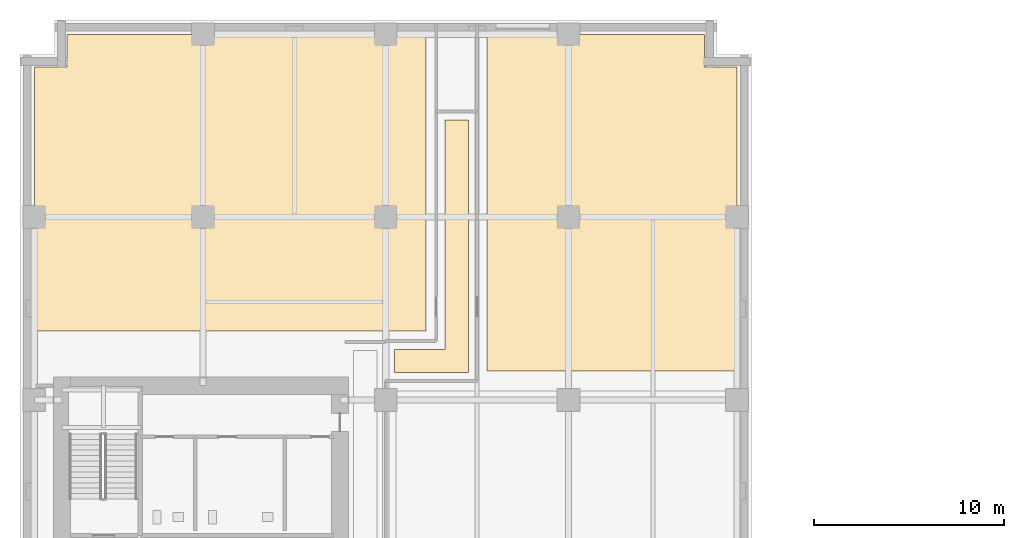
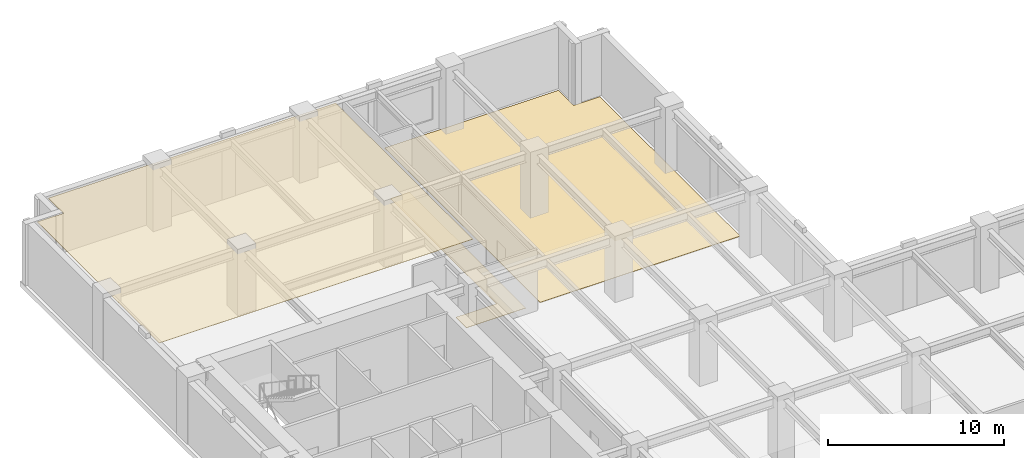
# One storey, part 21 of 24: 3 coverings.
"""IFC4 building model written with IfcOpenShell, lengths in metres."""

import ifcopenshell
import ifcopenshell.guid

model = None  # the IFC model being written
_history = None  # IfcOwnerHistory: only IFC2X3 demands one
_inside = {}  # id of a spatial element -> (the spatial element, [elements in it])
_under = {}  # id of a project, library or spatial element -> (it, [spatial elements below it])
_declared = {}  # id of a project -> (the project, [libraries it declares])
_typed = {}  # id of a type object -> (the type object, [elements of that type])
_made_of = {}  # id of a material, layer set ... -> (it, [elements and type objects made of it])


def new_model(schema):
    """Start an empty IFC model of exactly this schema.

    Asked for "IFC4X3", IfcOpenShell would pick the latest addendum, in which some entities
    have other attributes; the version numbers below select the first issue.
    IFC2X3 requires an IfcOwnerHistory on every rooted entity: one is made here for all.
    """
    global model, _history
    if schema == "IFC4X3":
        model = ifcopenshell.file(schema_version=(4, 3, 0, 0))
    else:
        model = ifcopenshell.file(schema=schema)
    _inside.clear()
    _under.clear()
    _declared.clear()
    _typed.clear()
    _made_of.clear()
    _history = None
    if model.schema == "IFC2X3":
        org = make("IfcOrganization", Name="unknown")
        user = make(
            "IfcPersonAndOrganization",
            ThePerson=make("IfcPerson", FamilyName="unknown"),
            TheOrganization=org,
        )
        app = make(
            "IfcApplication",
            ApplicationDeveloper=org,
            Version="unknown",
            ApplicationFullName="unknown",
            ApplicationIdentifier="unknown",
        )
        _history = make(
            "IfcOwnerHistory",
            OwningUser=user,
            OwningApplication=app,
            ChangeAction="ADDED",
            CreationDate=0,
        )
    return model


def make(cls, **values):
    """One entity of the class cls with the attributes given. An attribute that is None is left unset."""
    return model.create_entity(
        cls, **{name: value for name, value in values.items() if value is not None}
    )


def rooted(cls, **values):
    """An entity with a GlobalId (a new one), such as an element, a storey or a relation."""
    return make(cls, GlobalId=ifcopenshell.guid.new(), OwnerHistory=_history, **values)


def si_unit(unit_type, name, prefix=None):
    """IfcSIUnit, for example si_unit("LENGTHUNIT", "METRE", prefix="MILLI")."""
    return make("IfcSIUnit", UnitType=unit_type, Prefix=prefix, Name=name)


def assignment(units):
    """IfcUnitAssignment: the units of a project."""
    return None if units is None else make("IfcUnitAssignment", Units=units)


def point(xyz):
    """IfcCartesianPoint."""
    return None if xyz is None else make("IfcCartesianPoint", Coordinates=xyz)


def direction(xyz):
    """IfcDirection."""
    return None if xyz is None else make("IfcDirection", DirectionRatios=xyz)


def frame(location, z_axis=None, x_axis=None):
    """IfcAxis2Placement3D, a coordinate frame: its origin and axes. An axis left out is left unset."""
    return make(
        "IfcAxis2Placement3D",
        Location=point(location),
        Axis=direction(z_axis),
        RefDirection=direction(x_axis),
    )


def origin():
    """The frame at (0, 0, 0) with its axes left unset."""
    return frame((0.0, 0.0, 0.0))


def place(relative_to, where):
    """IfcLocalPlacement: puts the frame where relative to a parent placement (None: the world)."""
    return make(
        "IfcLocalPlacement", PlacementRelTo=relative_to, RelativePlacement=where
    )


def context(
    kind, dimensions, precision=None, world=None, true_north=None, identifier=None
):
    """IfcGeometricRepresentationContext, for example the 3D "Model" context."""
    return make(
        "IfcGeometricRepresentationContext",
        ContextIdentifier=identifier,
        ContextType=kind,
        CoordinateSpaceDimension=dimensions,
        Precision=precision,
        WorldCoordinateSystem=world,
        TrueNorth=true_north,
    )


def subcontext(parent, identifier, kind, view, scale=None):
    """IfcGeometricRepresentationSubContext, for example "Body" below "Model"."""
    return make(
        "IfcGeometricRepresentationSubContext",
        ContextIdentifier=identifier,
        ContextType=kind,
        ParentContext=parent,
        TargetScale=scale,
        TargetView=view,
    )


def project(units=None, contexts=None):
    """IfcProject with its units and contexts."""
    return rooted(
        "IfcProject",
        Name="project",
        RepresentationContexts=contexts,
        UnitsInContext=assignment(units),
    )


def spatial(cls, under=None, at=None, **own):
    """A site, building, storey or space (cls), placed at a placement, below another one or the project."""
    s = rooted(cls, ObjectPlacement=at, **own)
    if under is not None:
        _under.setdefault(under.id(), (under, []))[1].append(s)
    return s


def polyline(points):
    """IfcPolyline through the points."""
    return make("IfcPolyline", Points=[point(p) for p in points])


def outline(outer, holes=None, kind="AREA"):
    """IfcArbitraryClosedProfileDef: a profile drawn as a closed curve; with holes, ...WithVoids."""
    if holes is None:
        return make("IfcArbitraryClosedProfileDef", ProfileType=kind, OuterCurve=outer)
    return make(
        "IfcArbitraryProfileDefWithVoids",
        ProfileType=kind,
        OuterCurve=outer,
        InnerCurves=holes,
    )


def extrude(swept, where, along, depth):
    """IfcExtrudedAreaSolid: the profile swept, set in the frame where, extruded along a direction by depth."""
    return make(
        "IfcExtrudedAreaSolid",
        SweptArea=swept,
        Position=where,
        ExtrudedDirection=direction(along),
        Depth=depth,
    )


def shape(context_of_items, identifier, shape_type, items):
    """IfcShapeRepresentation: the items that make up one representation, for example the "Body"."""
    return make(
        "IfcShapeRepresentation",
        ContextOfItems=context_of_items,
        RepresentationIdentifier=identifier,
        RepresentationType=shape_type,
        Items=items,
    )


def material(Name=None, Category=None):
    """IfcMaterial."""
    return make("IfcMaterial", Name=Name, Category=Category)


def layer(
    of_material, thickness, ventilated=None, Name=None, Category=None, Priority=None
):
    """IfcMaterialLayer: one layer of a wall or slab, of a material (None: an air gap)."""
    return make(
        "IfcMaterialLayer",
        Material=of_material,
        LayerThickness=thickness,
        IsVentilated=ventilated,
        Name=Name,
        Category=Category,
        Priority=Priority,
    )


def layer_set(layers, Name=None):
    """IfcMaterialLayerSet."""
    return make("IfcMaterialLayerSet", MaterialLayers=layers, LayerSetName=Name)


def made_of(thing, what):
    """Note that an element or type object is made of a material, layer set ...; save() writes the relation."""
    if what is not None:
        _made_of.setdefault(what.id(), (what, []))[1].append(thing)
    return thing


def type_object(cls, material=None, **own):
    """A type object (cls), such as IfcWallType, which elements share."""
    return made_of(rooted(cls, **own), material)


def element(
    cls,
    number,
    at=None,
    inside=None,
    cuts=None,
    type_object=None,
    material=None,
    context=None,
    identifier="Body",
    shape_type=None,
    held_by="IfcProductDefinitionShape",
    body=None,
    shapes=None,
    **own,
):
    """One element of the class cls, such as IfcWall. Its Tag is "e" and its number.

    at: its placement. inside: the storey or other place that contains it. cuts: it is an
    opening in that element (IfcRelVoidsElement). A single representation is given by context,
    identifier, shape_type and body (its items); several are given by shapes. held_by: the class
    of the entity that holds the representations. save() writes the other relations.
    """
    e = rooted(cls, Tag="e%d" % number, ObjectPlacement=at, **own)
    if body is not None:
        shapes = [shape(context, identifier, shape_type, body)]
    if shapes is not None:
        e.Representation = make(held_by, Representations=shapes)
    if inside is not None:
        _inside.setdefault(inside.id(), (inside, []))[1].append(e)
    if cuts is not None:
        rooted(
            "IfcRelVoidsElement", RelatingBuildingElement=cuts, RelatedOpeningElement=e
        )
    if type_object is not None:
        _typed.setdefault(type_object.id(), (type_object, []))[1].append(e)
    return made_of(e, material)


def aggregate(whole, parts):
    """IfcRelAggregates: a whole, such as a stair, and the parts it consists of."""
    return rooted("IfcRelAggregates", RelatingObject=whole, RelatedObjects=parts)


def save(model, path):
    """Write the relations noted so far, then the file.

    IfcRelAggregates (storeys below a building ...), IfcRelContainedInSpatialStructure (elements
    in a storey), IfcRelDefinesByType, IfcRelAssociatesMaterial and IfcRelDeclares: one each for
    every whole, place, type object, material and project.
    """
    for whole, parts in _under.values():
        aggregate(whole, parts)
    for where, things in _inside.values():
        rooted(
            "IfcRelContainedInSpatialStructure",
            RelatedElements=things,
            RelatingStructure=where,
        )
    for kind, things in _typed.values():
        rooted("IfcRelDefinesByType", RelatedObjects=things, RelatingType=kind)
    for what, things in _made_of.values():
        rooted("IfcRelAssociatesMaterial", RelatedObjects=things, RelatingMaterial=what)
    for by, libraries in _declared.values():
        rooted("IfcRelDeclares", RelatingContext=by, RelatedDefinitions=libraries)
    model.write(path)


model = new_model("IFC4")

# Units and contexts
model_context = context("Model", 3, precision=1e-05, world=origin(), true_north=direction((0.0, 1.0)))
body_context = subcontext(model_context, "Body", "Model", "MODEL_VIEW")
ifc_project = project(units=[si_unit("LENGTHUNIT", "METRE"), si_unit("AREAUNIT", "SQUARE_METRE"), si_unit("VOLUMEUNIT", "CUBIC_METRE"), si_unit("PLANEANGLEUNIT", "RADIAN"), si_unit("MASSUNIT", "GRAM", prefix="KILO")], contexts=[model_context])

# Site, building, storey
site_placement = place(None, origin())
site = spatial("IfcSite", under=ifc_project, at=site_placement, CompositionType="ELEMENT")
building_placement = place(site_placement, origin())
building = spatial("IfcBuilding", under=site, at=building_placement, Name="Norrvale University Quadrangle", CompositionType="ELEMENT")
storey_placement = place(building_placement, frame((0.0, 0.0, 10.39990234375)))
storey = spatial("IfcBuildingStorey", under=building, at=storey_placement, Name="L02", CompositionType="ELEMENT", Elevation=10.39990234375)

# Coverings
ifc_material_1 = material(Name="Perforated Acoustic Mineral Ceiling")
ifc_layer_1 = layer(ifc_material_1, 0.02490234375, Name="Perforated Acoustic Mineral Ceiling")
ifc_layer_set_1 = layer_set([ifc_layer_1], Name="Perforated Acoustic Mineral Ceiling")
covering_type_1 = type_object("IfcCoveringType", Name="Covering Acoustic Ceiling 25", PredefinedType="CEILING", material=ifc_layer_set_1)
covering_1_placement = place(storey_placement, frame((0.0, 0.0, 4.235107421875)))
element("IfcCovering", 1, at=covering_1_placement, inside=storey, type_object=covering_type_1, Name="Acoustic Ceiling RM-L02-NW01", PredefinedType="CEILING", context=body_context, shape_type="SweptSolid", body=[
    extrude(outline(polyline([(21.320068359375, 66.449951171875), (21.320068359375, 50.8798828125), (0.75, 50.8798828125), (0.75, 64.72998046875), (2.469970703125, 64.72998046875), (2.469970703125, 66.449951171875), (21.320068359375, 66.449951171875)])), origin(), (0.0, 0.0, 1.0), 0.02490234375),
])
ifc_material_2 = material(Name="Polished Terrazzo Flooring")
ifc_layer_2 = layer(ifc_material_2, 0.02490234375, Name="Polished Terrazzo Flooring")
ifc_layer_set_2 = layer_set([ifc_layer_2], Name="Polished Terrazzo Flooring")
covering_type_2 = type_object("IfcCoveringType", Name="Covering Terrazzo Floor 30", PredefinedType="FLOORING", material=ifc_layer_set_2)
covering_2_placement = place(storey_placement, origin())
element("IfcCovering", 2, at=covering_2_placement, inside=storey, type_object=covering_type_2, Name="Terrazzo Flooring RM-L02-NCJOG", PredefinedType="FLOORING", context=body_context, shape_type="SweptSolid", body=[
    extrude(outline(polyline([(19.64990234375, 48.699951171875), (19.64990234375, 49.89990234375), (22.300048828125, 49.89990234375), (22.300048828125, 61.949951171875), (23.550048828125, 61.949951171875), (23.550048828125, 48.699951171875), (19.64990234375, 48.699951171875)])), origin(), (0.0, 0.0, 1.0), 0.025146484375),
])
covering_3_placement = place(storey_placement, origin())
element("IfcCovering", 3, at=covering_3_placement, inside=storey, type_object=covering_type_2, Name="Terrazzo Flooring RM-L02-NE01", PredefinedType="FLOORING", context=body_context, shape_type="SweptSolid", body=[
    extrude(outline(polyline([(37.64990234375, 48.780029296875), (24.530029296875, 48.780029296875), (24.530029296875, 66.449951171875), (35.929931640625, 66.449951171875), (35.929931640625, 64.72998046875), (37.64990234375, 64.72998046875), (37.64990234375, 48.780029296875)])), origin(), (0.0, 0.0, 1.0), 0.025146484375),
])

save(model, "model.ifc")
